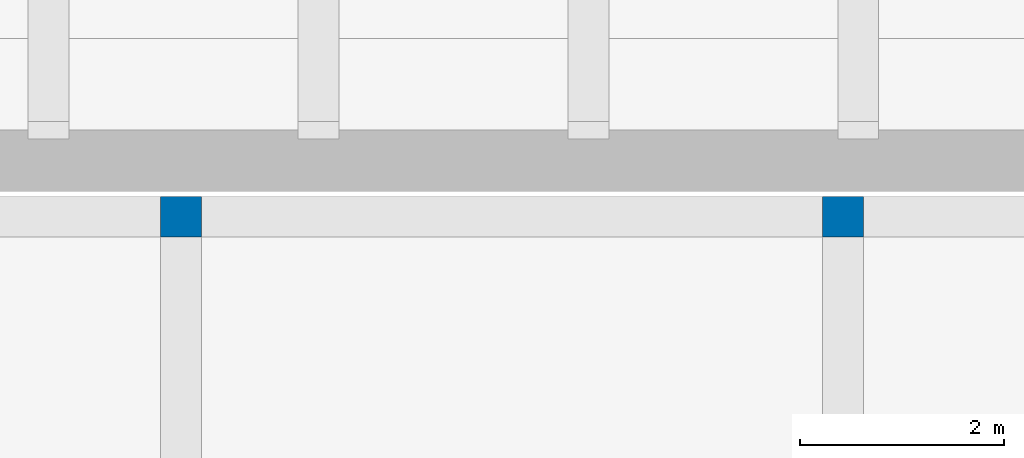
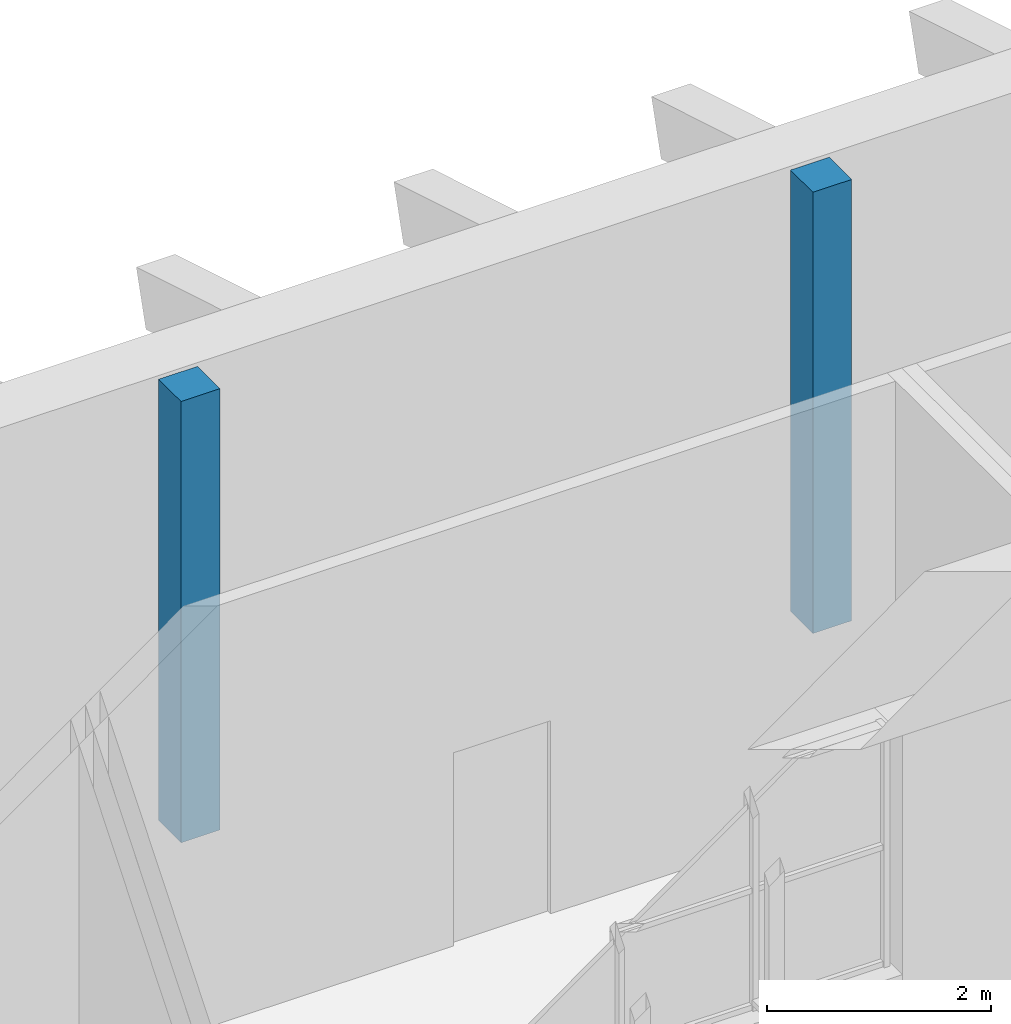
# One storey, part 3 of 127: 2 columns.
"""IFC4 building model written with IfcOpenShell, lengths in metres."""

import ifcopenshell
import ifcopenshell.guid

model = None  # the IFC model being written
_history = None  # IfcOwnerHistory: only IFC2X3 demands one
_inside = {}  # id of a spatial element -> (the spatial element, [elements in it])
_under = {}  # id of a project, library or spatial element -> (it, [spatial elements below it])
_declared = {}  # id of a project -> (the project, [libraries it declares])
_typed = {}  # id of a type object -> (the type object, [elements of that type])
_made_of = {}  # id of a material, layer set ... -> (it, [elements and type objects made of it])


def new_model(schema):
    """Start an empty IFC model of exactly this schema.

    Asked for "IFC4X3", IfcOpenShell would pick the latest addendum, in which some entities
    have other attributes; the version numbers below select the first issue.
    IFC2X3 requires an IfcOwnerHistory on every rooted entity: one is made here for all.
    """
    global model, _history
    if schema == "IFC4X3":
        model = ifcopenshell.file(schema_version=(4, 3, 0, 0))
    else:
        model = ifcopenshell.file(schema=schema)
    _inside.clear()
    _under.clear()
    _declared.clear()
    _typed.clear()
    _made_of.clear()
    _history = None
    if model.schema == "IFC2X3":
        org = make("IfcOrganization", Name="unknown")
        user = make(
            "IfcPersonAndOrganization",
            ThePerson=make("IfcPerson", FamilyName="unknown"),
            TheOrganization=org,
        )
        app = make(
            "IfcApplication",
            ApplicationDeveloper=org,
            Version="unknown",
            ApplicationFullName="unknown",
            ApplicationIdentifier="unknown",
        )
        _history = make(
            "IfcOwnerHistory",
            OwningUser=user,
            OwningApplication=app,
            ChangeAction="ADDED",
            CreationDate=0,
        )
    return model


def make(cls, **values):
    """One entity of the class cls with the attributes given. An attribute that is None is left unset."""
    return model.create_entity(
        cls, **{name: value for name, value in values.items() if value is not None}
    )


def rooted(cls, **values):
    """An entity with a GlobalId (a new one), such as an element, a storey or a relation."""
    return make(cls, GlobalId=ifcopenshell.guid.new(), OwnerHistory=_history, **values)


def si_unit(unit_type, name, prefix=None):
    """IfcSIUnit, for example si_unit("LENGTHUNIT", "METRE", prefix="MILLI")."""
    return make("IfcSIUnit", UnitType=unit_type, Prefix=prefix, Name=name)


def assignment(units):
    """IfcUnitAssignment: the units of a project."""
    return None if units is None else make("IfcUnitAssignment", Units=units)


def point(xyz):
    """IfcCartesianPoint."""
    return None if xyz is None else make("IfcCartesianPoint", Coordinates=xyz)


def direction(xyz):
    """IfcDirection."""
    return None if xyz is None else make("IfcDirection", DirectionRatios=xyz)


def frame(location, z_axis=None, x_axis=None):
    """IfcAxis2Placement3D, a coordinate frame: its origin and axes. An axis left out is left unset."""
    return make(
        "IfcAxis2Placement3D",
        Location=point(location),
        Axis=direction(z_axis),
        RefDirection=direction(x_axis),
    )


def frame_2d(location, x_axis=None):
    """IfcAxis2Placement2D, a coordinate frame in the plane: its origin and x axis."""
    return make(
        "IfcAxis2Placement2D", Location=point(location), RefDirection=direction(x_axis)
    )


def origin():
    """The frame at (0, 0, 0) with its axes left unset."""
    return frame((0.0, 0.0, 0.0))


def origin_2d():
    """The frame at (0, 0) in the plane with its x axis left unset."""
    return frame_2d((0.0, 0.0))


def place(relative_to, where):
    """IfcLocalPlacement: puts the frame where relative to a parent placement (None: the world)."""
    return make(
        "IfcLocalPlacement", PlacementRelTo=relative_to, RelativePlacement=where
    )


def context(
    kind, dimensions, precision=None, world=None, true_north=None, identifier=None
):
    """IfcGeometricRepresentationContext, for example the 3D "Model" context."""
    return make(
        "IfcGeometricRepresentationContext",
        ContextIdentifier=identifier,
        ContextType=kind,
        CoordinateSpaceDimension=dimensions,
        Precision=precision,
        WorldCoordinateSystem=world,
        TrueNorth=true_north,
    )


def subcontext(parent, identifier, kind, view, scale=None):
    """IfcGeometricRepresentationSubContext, for example "Body" below "Model"."""
    return make(
        "IfcGeometricRepresentationSubContext",
        ContextIdentifier=identifier,
        ContextType=kind,
        ParentContext=parent,
        TargetScale=scale,
        TargetView=view,
    )


def project(units=None, contexts=None):
    """IfcProject with its units and contexts."""
    return rooted(
        "IfcProject",
        Name="project",
        RepresentationContexts=contexts,
        UnitsInContext=assignment(units),
    )


def spatial(cls, under=None, at=None, **own):
    """A site, building, storey or space (cls), placed at a placement, below another one or the project."""
    s = rooted(cls, ObjectPlacement=at, **own)
    if under is not None:
        _under.setdefault(under.id(), (under, []))[1].append(s)
    return s


def profile(cls, at=None, kind="AREA", **sizes):
    """A parametric profile (cls). Its sizes go by their IFC names, for example OverallWidth=200.0."""
    return make(cls, ProfileType=kind, Position=at, **sizes)


def rectangle(**sizes):
    """IfcRectangleProfileDef."""
    return profile("IfcRectangleProfileDef", **sizes)


def extrude(swept, where, along, depth):
    """IfcExtrudedAreaSolid: the profile swept, set in the frame where, extruded along a direction by depth."""
    return make(
        "IfcExtrudedAreaSolid",
        SweptArea=swept,
        Position=where,
        ExtrudedDirection=direction(along),
        Depth=depth,
    )


def shape(context_of_items, identifier, shape_type, items):
    """IfcShapeRepresentation: the items that make up one representation, for example the "Body"."""
    return make(
        "IfcShapeRepresentation",
        ContextOfItems=context_of_items,
        RepresentationIdentifier=identifier,
        RepresentationType=shape_type,
        Items=items,
    )


def material(Name=None, Category=None):
    """IfcMaterial."""
    return make("IfcMaterial", Name=Name, Category=Category)


def material_profile(
    of_material, cross_section, Name=None, Category=None, Priority=None
):
    """IfcMaterialProfile: a cross section and its material."""
    return make(
        "IfcMaterialProfile",
        Name=Name,
        Material=of_material,
        Profile=cross_section,
        Priority=Priority,
        Category=Category,
    )


def profile_set(profiles, Name=None, composite=None):
    """IfcMaterialProfileSet."""
    return make(
        "IfcMaterialProfileSet",
        Name=Name,
        MaterialProfiles=profiles,
        CompositeProfile=composite,
    )


def made_of(thing, what):
    """Note that an element or type object is made of a material, layer set ...; save() writes the relation."""
    if what is not None:
        _made_of.setdefault(what.id(), (what, []))[1].append(thing)
    return thing


def type_object(cls, material=None, **own):
    """A type object (cls), such as IfcWallType, which elements share."""
    return made_of(rooted(cls, **own), material)


def element(
    cls,
    number,
    at=None,
    inside=None,
    cuts=None,
    type_object=None,
    material=None,
    context=None,
    identifier="Body",
    shape_type=None,
    held_by="IfcProductDefinitionShape",
    body=None,
    shapes=None,
    **own,
):
    """One element of the class cls, such as IfcWall. Its Tag is "e" and its number.

    at: its placement. inside: the storey or other place that contains it. cuts: it is an
    opening in that element (IfcRelVoidsElement). A single representation is given by context,
    identifier, shape_type and body (its items); several are given by shapes. held_by: the class
    of the entity that holds the representations. save() writes the other relations.
    """
    e = rooted(cls, Tag="e%d" % number, ObjectPlacement=at, **own)
    if body is not None:
        shapes = [shape(context, identifier, shape_type, body)]
    if shapes is not None:
        e.Representation = make(held_by, Representations=shapes)
    if inside is not None:
        _inside.setdefault(inside.id(), (inside, []))[1].append(e)
    if cuts is not None:
        rooted(
            "IfcRelVoidsElement", RelatingBuildingElement=cuts, RelatedOpeningElement=e
        )
    if type_object is not None:
        _typed.setdefault(type_object.id(), (type_object, []))[1].append(e)
    return made_of(e, material)


def aggregate(whole, parts):
    """IfcRelAggregates: a whole, such as a stair, and the parts it consists of."""
    return rooted("IfcRelAggregates", RelatingObject=whole, RelatedObjects=parts)


def save(model, path):
    """Write the relations noted so far, then the file.

    IfcRelAggregates (storeys below a building ...), IfcRelContainedInSpatialStructure (elements
    in a storey), IfcRelDefinesByType, IfcRelAssociatesMaterial and IfcRelDeclares: one each for
    every whole, place, type object, material and project.
    """
    for whole, parts in _under.values():
        aggregate(whole, parts)
    for where, things in _inside.values():
        rooted(
            "IfcRelContainedInSpatialStructure",
            RelatedElements=things,
            RelatingStructure=where,
        )
    for kind, things in _typed.values():
        rooted("IfcRelDefinesByType", RelatedObjects=things, RelatingType=kind)
    for what, things in _made_of.values():
        rooted("IfcRelAssociatesMaterial", RelatedObjects=things, RelatingMaterial=what)
    for by, libraries in _declared.values():
        rooted("IfcRelDeclares", RelatingContext=by, RelatedDefinitions=libraries)
    model.write(path)


model = new_model("IFC4")

# Units and contexts
model_context = context("Model", 3, precision=1e-05, world=origin(), true_north=direction((0.0, 1.0)))
body_context = subcontext(model_context, "Body", "Model", "MODEL_VIEW")
ifc_project = project(units=[si_unit("LENGTHUNIT", "METRE"), si_unit("AREAUNIT", "SQUARE_METRE"), si_unit("VOLUMEUNIT", "CUBIC_METRE"), si_unit("PLANEANGLEUNIT", "RADIAN"), si_unit("MASSUNIT", "GRAM", prefix="KILO")], contexts=[model_context])

# Site, building, storey
site_placement = place(None, origin())
site = spatial("IfcSite", under=ifc_project, at=site_placement, CompositionType="ELEMENT")
building_placement = place(site_placement, origin())
building = spatial("IfcBuilding", under=site, at=building_placement, Name="Ljudholm Concert House", CompositionType="ELEMENT")
storey_placement = place(building_placement, frame((0.0, 0.0, 5.39990234375)))
storey = spatial("IfcBuildingStorey", under=building, at=storey_placement, Name="L01", CompositionType="ELEMENT", Elevation=5.39990234375)

# Columns
ifc_material = material(Name="Concrete 6,500 psi", Category="concrete")
ifc_material_profile = material_profile(ifc_material, rectangle(XDim=0.39990234375, YDim=0.39990234375, at=origin_2d()), Name="RC COLUMN 400x400")
ifc_profile_set = profile_set([ifc_material_profile], Name="Concrete 6,500 psi")
column_type = type_object("IfcColumnType", Name="RC COLUMN 400x400", PredefinedType="COLUMN", material=ifc_profile_set)
for number, where, z_axis, x_axis, name in (
    (1, (57.0, 60.449951171875, 0.0), (0.0, 0.0, 1.0), (1.0, 0.0, 0.0), "Ring column"),
    (2, (63.5, 60.449951171875, 0.0), (0.0, 0.0, 1.0), (1.0, 0.0, 0.0), "Ring column"),
):
    element("IfcColumn", number, at=place(storey_placement, frame(where, z_axis=z_axis, x_axis=x_axis)), inside=storey, type_object=column_type, Name=name, PredefinedType="COLUMN", context=body_context, shape_type="SweptSolid", body=[
        extrude(rectangle(XDim=0.39990234375, YDim=0.39990234375, at=origin_2d()), origin(), (0.0, 0.0, 1.0), 4.800048828125),
    ])

save(model, "model.ifc")
